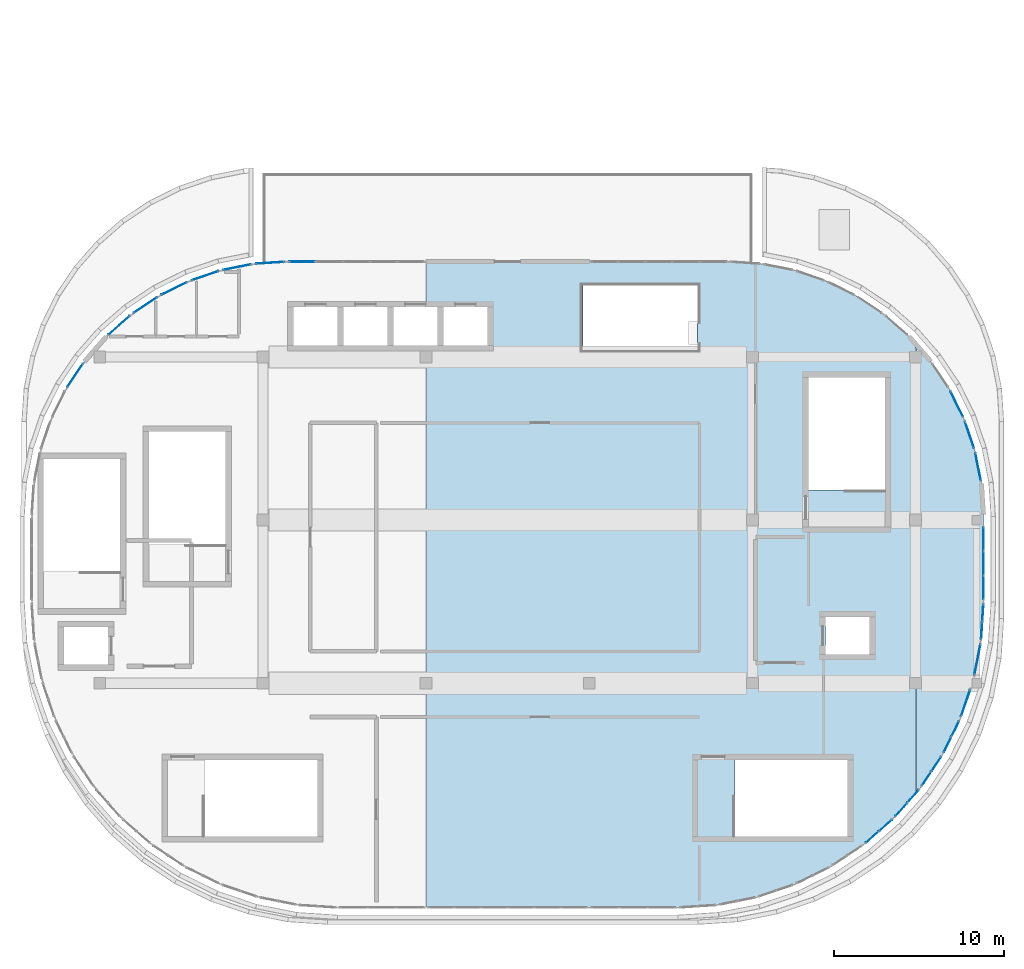
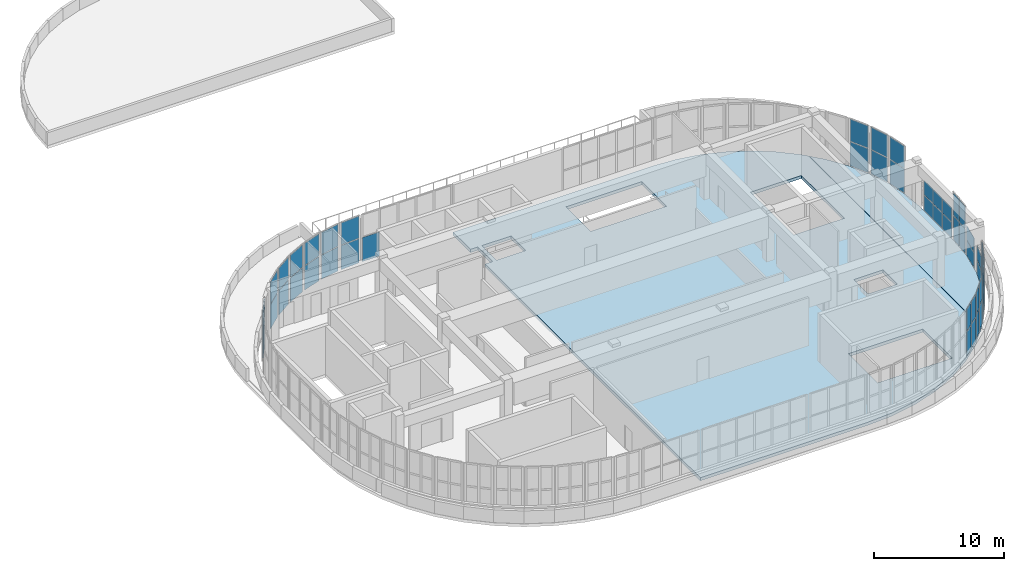
# One storey, part 15 of 23: 51 plates, 2 slabs, 19 elements without a shape of their own.
"""IFC4 building model written with IfcOpenShell, lengths in metres."""

import ifcopenshell
import ifcopenshell.guid

model = None  # the IFC model being written
_history = None  # IfcOwnerHistory: only IFC2X3 demands one
_inside = {}  # id of a spatial element -> (the spatial element, [elements in it])
_under = {}  # id of a project, library or spatial element -> (it, [spatial elements below it])
_declared = {}  # id of a project -> (the project, [libraries it declares])
_typed = {}  # id of a type object -> (the type object, [elements of that type])
_made_of = {}  # id of a material, layer set ... -> (it, [elements and type objects made of it])


def new_model(schema):
    """Start an empty IFC model of exactly this schema.

    Asked for "IFC4X3", IfcOpenShell would pick the latest addendum, in which some entities
    have other attributes; the version numbers below select the first issue.
    IFC2X3 requires an IfcOwnerHistory on every rooted entity: one is made here for all.
    """
    global model, _history
    if schema == "IFC4X3":
        model = ifcopenshell.file(schema_version=(4, 3, 0, 0))
    else:
        model = ifcopenshell.file(schema=schema)
    _inside.clear()
    _under.clear()
    _declared.clear()
    _typed.clear()
    _made_of.clear()
    _history = None
    if model.schema == "IFC2X3":
        org = make("IfcOrganization", Name="unknown")
        user = make(
            "IfcPersonAndOrganization",
            ThePerson=make("IfcPerson", FamilyName="unknown"),
            TheOrganization=org,
        )
        app = make(
            "IfcApplication",
            ApplicationDeveloper=org,
            Version="unknown",
            ApplicationFullName="unknown",
            ApplicationIdentifier="unknown",
        )
        _history = make(
            "IfcOwnerHistory",
            OwningUser=user,
            OwningApplication=app,
            ChangeAction="ADDED",
            CreationDate=0,
        )
    return model


def make(cls, **values):
    """One entity of the class cls with the attributes given. An attribute that is None is left unset."""
    return model.create_entity(
        cls, **{name: value for name, value in values.items() if value is not None}
    )


def rooted(cls, **values):
    """An entity with a GlobalId (a new one), such as an element, a storey or a relation."""
    return make(cls, GlobalId=ifcopenshell.guid.new(), OwnerHistory=_history, **values)


def si_unit(unit_type, name, prefix=None):
    """IfcSIUnit, for example si_unit("LENGTHUNIT", "METRE", prefix="MILLI")."""
    return make("IfcSIUnit", UnitType=unit_type, Prefix=prefix, Name=name)


def assignment(units):
    """IfcUnitAssignment: the units of a project."""
    return None if units is None else make("IfcUnitAssignment", Units=units)


def point(xyz):
    """IfcCartesianPoint."""
    return None if xyz is None else make("IfcCartesianPoint", Coordinates=xyz)


def direction(xyz):
    """IfcDirection."""
    return None if xyz is None else make("IfcDirection", DirectionRatios=xyz)


def frame(location, z_axis=None, x_axis=None):
    """IfcAxis2Placement3D, a coordinate frame: its origin and axes. An axis left out is left unset."""
    return make(
        "IfcAxis2Placement3D",
        Location=point(location),
        Axis=direction(z_axis),
        RefDirection=direction(x_axis),
    )


def frame_2d(location, x_axis=None):
    """IfcAxis2Placement2D, a coordinate frame in the plane: its origin and x axis."""
    return make(
        "IfcAxis2Placement2D", Location=point(location), RefDirection=direction(x_axis)
    )


def origin():
    """The frame at (0, 0, 0) with its axes left unset."""
    return frame((0.0, 0.0, 0.0))


def origin_2d():
    """The frame at (0, 0) in the plane with its x axis left unset."""
    return frame_2d((0.0, 0.0))


def place(relative_to, where):
    """IfcLocalPlacement: puts the frame where relative to a parent placement (None: the world)."""
    return make(
        "IfcLocalPlacement", PlacementRelTo=relative_to, RelativePlacement=where
    )


def context(
    kind, dimensions, precision=None, world=None, true_north=None, identifier=None
):
    """IfcGeometricRepresentationContext, for example the 3D "Model" context."""
    return make(
        "IfcGeometricRepresentationContext",
        ContextIdentifier=identifier,
        ContextType=kind,
        CoordinateSpaceDimension=dimensions,
        Precision=precision,
        WorldCoordinateSystem=world,
        TrueNorth=true_north,
    )


def subcontext(parent, identifier, kind, view, scale=None):
    """IfcGeometricRepresentationSubContext, for example "Body" below "Model"."""
    return make(
        "IfcGeometricRepresentationSubContext",
        ContextIdentifier=identifier,
        ContextType=kind,
        ParentContext=parent,
        TargetScale=scale,
        TargetView=view,
    )


def project(units=None, contexts=None):
    """IfcProject with its units and contexts."""
    return rooted(
        "IfcProject",
        Name="project",
        RepresentationContexts=contexts,
        UnitsInContext=assignment(units),
    )


def spatial(cls, under=None, at=None, **own):
    """A site, building, storey or space (cls), placed at a placement, below another one or the project."""
    s = rooted(cls, ObjectPlacement=at, **own)
    if under is not None:
        _under.setdefault(under.id(), (under, []))[1].append(s)
    return s


def polyline(points):
    """IfcPolyline through the points."""
    return make("IfcPolyline", Points=[point(p) for p in points])


def profile(cls, at=None, kind="AREA", **sizes):
    """A parametric profile (cls). Its sizes go by their IFC names, for example OverallWidth=200.0."""
    return make(cls, ProfileType=kind, Position=at, **sizes)


def rectangle(**sizes):
    """IfcRectangleProfileDef."""
    return profile("IfcRectangleProfileDef", **sizes)


def outline(outer, holes=None, kind="AREA"):
    """IfcArbitraryClosedProfileDef: a profile drawn as a closed curve; with holes, ...WithVoids."""
    if holes is None:
        return make("IfcArbitraryClosedProfileDef", ProfileType=kind, OuterCurve=outer)
    return make(
        "IfcArbitraryProfileDefWithVoids",
        ProfileType=kind,
        OuterCurve=outer,
        InnerCurves=holes,
    )


def extrude(swept, where, along, depth):
    """IfcExtrudedAreaSolid: the profile swept, set in the frame where, extruded along a direction by depth."""
    return make(
        "IfcExtrudedAreaSolid",
        SweptArea=swept,
        Position=where,
        ExtrudedDirection=direction(along),
        Depth=depth,
    )


def shape(context_of_items, identifier, shape_type, items):
    """IfcShapeRepresentation: the items that make up one representation, for example the "Body"."""
    return make(
        "IfcShapeRepresentation",
        ContextOfItems=context_of_items,
        RepresentationIdentifier=identifier,
        RepresentationType=shape_type,
        Items=items,
    )


def material(Name=None, Category=None):
    """IfcMaterial."""
    return make("IfcMaterial", Name=Name, Category=Category)


def layer(
    of_material, thickness, ventilated=None, Name=None, Category=None, Priority=None
):
    """IfcMaterialLayer: one layer of a wall or slab, of a material (None: an air gap)."""
    return make(
        "IfcMaterialLayer",
        Material=of_material,
        LayerThickness=thickness,
        IsVentilated=ventilated,
        Name=Name,
        Category=Category,
        Priority=Priority,
    )


def layer_set(layers, Name=None):
    """IfcMaterialLayerSet."""
    return make("IfcMaterialLayerSet", MaterialLayers=layers, LayerSetName=Name)


def made_of(thing, what):
    """Note that an element or type object is made of a material, layer set ...; save() writes the relation."""
    if what is not None:
        _made_of.setdefault(what.id(), (what, []))[1].append(thing)
    return thing


def type_object(cls, material=None, **own):
    """A type object (cls), such as IfcWallType, which elements share."""
    return made_of(rooted(cls, **own), material)


def element(
    cls,
    number,
    at=None,
    inside=None,
    cuts=None,
    type_object=None,
    material=None,
    context=None,
    identifier="Body",
    shape_type=None,
    held_by="IfcProductDefinitionShape",
    body=None,
    shapes=None,
    **own,
):
    """One element of the class cls, such as IfcWall. Its Tag is "e" and its number.

    at: its placement. inside: the storey or other place that contains it. cuts: it is an
    opening in that element (IfcRelVoidsElement). A single representation is given by context,
    identifier, shape_type and body (its items); several are given by shapes. held_by: the class
    of the entity that holds the representations. save() writes the other relations.
    """
    e = rooted(cls, Tag="e%d" % number, ObjectPlacement=at, **own)
    if body is not None:
        shapes = [shape(context, identifier, shape_type, body)]
    if shapes is not None:
        e.Representation = make(held_by, Representations=shapes)
    if inside is not None:
        _inside.setdefault(inside.id(), (inside, []))[1].append(e)
    if cuts is not None:
        rooted(
            "IfcRelVoidsElement", RelatingBuildingElement=cuts, RelatedOpeningElement=e
        )
    if type_object is not None:
        _typed.setdefault(type_object.id(), (type_object, []))[1].append(e)
    return made_of(e, material)


def aggregate(whole, parts):
    """IfcRelAggregates: a whole, such as a stair, and the parts it consists of."""
    return rooted("IfcRelAggregates", RelatingObject=whole, RelatedObjects=parts)


def save(model, path):
    """Write the relations noted so far, then the file.

    IfcRelAggregates (storeys below a building ...), IfcRelContainedInSpatialStructure (elements
    in a storey), IfcRelDefinesByType, IfcRelAssociatesMaterial and IfcRelDeclares: one each for
    every whole, place, type object, material and project.
    """
    for whole, parts in _under.values():
        aggregate(whole, parts)
    for where, things in _inside.values():
        rooted(
            "IfcRelContainedInSpatialStructure",
            RelatedElements=things,
            RelatingStructure=where,
        )
    for kind, things in _typed.values():
        rooted("IfcRelDefinesByType", RelatedObjects=things, RelatingType=kind)
    for what, things in _made_of.values():
        rooted("IfcRelAssociatesMaterial", RelatedObjects=things, RelatingMaterial=what)
    for by, libraries in _declared.values():
        rooted("IfcRelDeclares", RelatingContext=by, RelatedDefinitions=libraries)
    model.write(path)


model = new_model("IFC4")

# Units and contexts
model_context = context("Model", 3, precision=1e-05, world=origin(), true_north=direction((0.0, 1.0)))
body_context = subcontext(model_context, "Body", "Model", "MODEL_VIEW")
ifc_project = project(units=[si_unit("LENGTHUNIT", "METRE"), si_unit("AREAUNIT", "SQUARE_METRE"), si_unit("VOLUMEUNIT", "CUBIC_METRE"), si_unit("PLANEANGLEUNIT", "RADIAN"), si_unit("MASSUNIT", "GRAM", prefix="KILO")], contexts=[model_context])

# Site, building, storey
site_placement = place(None, origin())
site = spatial("IfcSite", under=ifc_project, at=site_placement, CompositionType="ELEMENT")
building_placement = place(site_placement, origin())
building = spatial("IfcBuilding", under=site, at=building_placement, Name="Cendralis Terraced Arcade", CompositionType="ELEMENT")
storey_placement = place(building_placement, frame((0.0, 0.0, 29.39990234375)))
storey = spatial("IfcBuildingStorey", under=building, at=storey_placement, Name="L06", CompositionType="ELEMENT", Elevation=29.39990234375)

# Curtain wall, plates
ifc_material_1 = material(Name="Anodised aluminium EN AW-6063 T6", Category="aluminium")
ifc_layer_1 = layer(ifc_material_1, 0.179931640625, Name="CW-UNIT-A")
ifc_layer_set_1 = layer_set([ifc_layer_1], Name="Anodised aluminium EN AW-6063 T6")
curtain_wall_type_1 = type_object("IfcCurtainWallType", Name="CW-UNIT-A", PredefinedType="USERDEFINED", material=ifc_layer_set_1)
curtain_wall_1_placement = place(storey_placement, origin())
curtain_wall_1 = element("IfcCurtainWall", 1, at=curtain_wall_1_placement, inside=storey, type_object=curtain_wall_type_1, Name="Exterior Unitised Facade CW-L06-0450", ObjectType="UNITISED FACADE", PredefinedType="USERDEFINED")
ifc_material_2 = material(Name="Tempered solar control laminated glass", Category="glass")
ifc_layer_2 = layer(ifc_material_2, 0.035888671875, Name="CW-UNIT-A-PNL")
ifc_layer_set_2 = layer_set([ifc_layer_2], Name="Tempered solar control laminated glass")
plate_type_1 = type_object("IfcPlateType", Name="CW-UNIT-A-PNL", PredefinedType="CURTAIN_PANEL", material=ifc_layer_set_2)
plate_1_placement = place(storey_placement, frame((8.154541015625, 37.315673828125, 0.06494140625), z_axis=(0.0, 0.0, 1.0), x_axis=(0.555567476528, 0.831471454125, 0.0)))
plate_1 = element("IfcPlate", 2, at=plate_1_placement, type_object=plate_type_1, Name="CW-U1 panel 1.1", PredefinedType="CURTAIN_PANEL", context=body_context, shape_type="SweptSolid", body=[
    extrude(rectangle(XDim=1.652099609375, YDim=0.035888671875, at=origin_2d()), origin(), (0.0, 0.0, 1.0), 2.255615234375),
])
plate_2_placement = place(storey_placement, frame((8.154541015625, 37.315673828125, 2.3857421875), z_axis=(0.0, 0.0, 1.0), x_axis=(0.555567476528, 0.831471454125, 0.0)))
plate_2 = element("IfcPlate", 3, at=plate_2_placement, type_object=plate_type_1, Name="CW-U1 panel 1.2", PredefinedType="CURTAIN_PANEL", context=body_context, shape_type="SweptSolid", body=[
    extrude(rectangle(XDim=1.652099609375, YDim=0.035888671875, at=origin_2d()), origin(), (0.0, 0.0, 1.0), 2.074462890625),
])
aggregate(curtain_wall_1, [plate_1, plate_2])

curtain_wall_2_placement = place(storey_placement, origin())
curtain_wall_2 = element("IfcCurtainWall", 4, at=curtain_wall_2_placement, inside=storey, type_object=curtain_wall_type_1, Name="Exterior Unitised Facade CW-L06-0451", ObjectType="UNITISED FACADE", PredefinedType="USERDEFINED")
plate_3_placement = place(storey_placement, frame((10.73095703125, 40.25341796875, 0.06494140625), z_axis=(0.0, 0.0, 1.0), x_axis=(0.751804497477, 0.659386076266, 0.0)))
plate_3 = element("IfcPlate", 5, at=plate_3_placement, type_object=plate_type_1, Name="CW-U1 panel 1.1", PredefinedType="CURTAIN_PANEL", context=body_context, shape_type="SweptSolid", body=[
    extrude(rectangle(XDim=1.652099609375, YDim=0.035888671875, at=origin_2d()), origin(), (0.0, 0.0, 1.0), 2.255615234375),
])
plate_4_placement = place(storey_placement, frame((10.73095703125, 40.25341796875, 2.3857421875), z_axis=(0.0, 0.0, 1.0), x_axis=(0.751804497477, 0.659386076266, 0.0)))
plate_4 = element("IfcPlate", 6, at=plate_4_placement, type_object=plate_type_1, Name="CW-U1 panel 1.2", PredefinedType="CURTAIN_PANEL", context=body_context, shape_type="SweptSolid", body=[
    extrude(rectangle(XDim=1.652099609375, YDim=0.035888671875, at=origin_2d()), origin(), (0.0, 0.0, 1.0), 2.074462890625),
])
aggregate(curtain_wall_2, [plate_3, plate_4])

curtain_wall_3_placement = place(storey_placement, origin())
curtain_wall_3 = element("IfcCurtainWall", 7, at=curtain_wall_3_placement, inside=storey, type_object=curtain_wall_type_1, Name="Exterior Unitised Facade CW-L06-0452", ObjectType="UNITISED FACADE", PredefinedType="USERDEFINED")
plate_5_placement = place(storey_placement, frame((12.2841796875, 41.4453125, 0.06494140625), z_axis=(0.0, 0.0, 1.0), x_axis=(0.831471454125, 0.555567476528, 0.0)))
plate_5 = element("IfcPlate", 8, at=plate_5_placement, type_object=plate_type_1, Name="CW-U1 panel 1.1", PredefinedType="CURTAIN_PANEL", context=body_context, shape_type="SweptSolid", body=[
    extrude(rectangle(XDim=1.652099609375, YDim=0.035888671875, at=origin_2d()), origin(), (0.0, 0.0, 1.0), 2.255615234375),
])
plate_6_placement = place(storey_placement, frame((12.2841796875, 41.4453125, 2.3857421875), z_axis=(0.0, 0.0, 1.0), x_axis=(0.831471454125, 0.555567476528, 0.0)))
plate_6 = element("IfcPlate", 9, at=plate_6_placement, type_object=plate_type_1, Name="CW-U1 panel 1.2", PredefinedType="CURTAIN_PANEL", context=body_context, shape_type="SweptSolid", body=[
    extrude(rectangle(XDim=1.652099609375, YDim=0.035888671875, at=origin_2d()), origin(), (0.0, 0.0, 1.0), 2.074462890625),
])
aggregate(curtain_wall_3, [plate_5, plate_6])

curtain_wall_4_placement = place(storey_placement, origin())
curtain_wall_4 = element("IfcCurtainWall", 10, at=curtain_wall_4_placement, inside=storey, type_object=curtain_wall_type_1, Name="Exterior Unitised Facade CW-L06-0453", ObjectType="UNITISED FACADE", PredefinedType="USERDEFINED")
plate_7_placement = place(storey_placement, frame((13.979736328125, 42.42431640625, 0.06494140625), z_axis=(0.0, 0.0, 1.0), x_axis=(0.896871480419, 0.442291247495, 0.0)))
plate_7 = element("IfcPlate", 11, at=plate_7_placement, type_object=plate_type_1, Name="CW-U1 panel 1.1", PredefinedType="CURTAIN_PANEL", context=body_context, shape_type="SweptSolid", body=[
    extrude(rectangle(XDim=1.652099609375, YDim=0.035888671875, at=origin_2d()), origin(), (0.0, 0.0, 1.0), 2.255615234375),
])
plate_8_placement = place(storey_placement, frame((13.979736328125, 42.42431640625, 2.3857421875), z_axis=(0.0, 0.0, 1.0), x_axis=(0.896871480419, 0.442291247495, 0.0)))
plate_8 = element("IfcPlate", 12, at=plate_8_placement, type_object=plate_type_1, Name="CW-U1 panel 1.2", PredefinedType="CURTAIN_PANEL", context=body_context, shape_type="SweptSolid", body=[
    extrude(rectangle(XDim=1.652099609375, YDim=0.035888671875, at=origin_2d()), origin(), (0.0, 0.0, 1.0), 2.074462890625),
])
aggregate(curtain_wall_4, [plate_7, plate_8])

curtain_wall_5_placement = place(storey_placement, origin())
curtain_wall_5 = element("IfcCurtainWall", 13, at=curtain_wall_5_placement, inside=storey, type_object=curtain_wall_type_1, Name="Exterior Unitised Facade CW-L06-0454", ObjectType="UNITISED FACADE", PredefinedType="USERDEFINED")
plate_9_placement = place(storey_placement, frame((15.788818359375, 43.173583984375, 0.06494140625), z_axis=(0.0, 0.0, 1.0), x_axis=(0.946923811316, 0.321458077458, 0.0)))
plate_9 = element("IfcPlate", 14, at=plate_9_placement, type_object=plate_type_1, Name="CW-U1 panel 1.1", PredefinedType="CURTAIN_PANEL", context=body_context, shape_type="SweptSolid", body=[
    extrude(rectangle(XDim=1.652099609375, YDim=0.035888671875, at=origin_2d()), origin(), (0.0, 0.0, 1.0), 2.255615234375),
])
plate_10_placement = place(storey_placement, frame((15.788818359375, 43.173583984375, 2.3857421875), z_axis=(0.0, 0.0, 1.0), x_axis=(0.946923811316, 0.321458077458, 0.0)))
plate_10 = element("IfcPlate", 15, at=plate_10_placement, type_object=plate_type_1, Name="CW-U1 panel 1.2", PredefinedType="CURTAIN_PANEL", context=body_context, shape_type="SweptSolid", body=[
    extrude(rectangle(XDim=1.652099609375, YDim=0.035888671875, at=origin_2d()), origin(), (0.0, 0.0, 1.0), 2.074462890625),
])
aggregate(curtain_wall_5, [plate_9, plate_10])

curtain_wall_6_placement = place(storey_placement, origin())
curtain_wall_6 = element("IfcCurtainWall", 16, at=curtain_wall_6_placement, inside=storey, type_object=curtain_wall_type_1, Name="Exterior Unitised Facade CW-L06-0455", ObjectType="UNITISED FACADE", PredefinedType="USERDEFINED")
plate_11_placement = place(storey_placement, frame((17.679931640625, 43.680419921875, 0.06494140625), z_axis=(0.0, 0.0, 1.0), x_axis=(0.980791618721, 0.195058454434, 0.0)))
plate_11 = element("IfcPlate", 17, at=plate_11_placement, type_object=plate_type_1, Name="CW-U1 panel 1.1", PredefinedType="CURTAIN_PANEL", context=body_context, shape_type="SweptSolid", body=[
    extrude(rectangle(XDim=1.652099609375, YDim=0.035888671875, at=origin_2d()), origin(), (0.0, 0.0, 1.0), 2.255615234375),
])
plate_12_placement = place(storey_placement, frame((17.679931640625, 43.680419921875, 2.3857421875), z_axis=(0.0, 0.0, 1.0), x_axis=(0.980791618721, 0.195058454434, 0.0)))
plate_12 = element("IfcPlate", 18, at=plate_12_placement, type_object=plate_type_1, Name="CW-U1 panel 1.2", PredefinedType="CURTAIN_PANEL", context=body_context, shape_type="SweptSolid", body=[
    extrude(rectangle(XDim=1.652099609375, YDim=0.035888671875, at=origin_2d()), origin(), (0.0, 0.0, 1.0), 2.074462890625),
])
aggregate(curtain_wall_6, [plate_11, plate_12])

curtain_wall_7_placement = place(storey_placement, origin())
curtain_wall_7 = element("IfcCurtainWall", 19, at=curtain_wall_7_placement, inside=storey, type_object=curtain_wall_type_1, Name="Exterior Unitised Facade CW-L06-0456", ObjectType="UNITISED FACADE", PredefinedType="USERDEFINED")
plate_13_placement = place(storey_placement, frame((19.62109375, 43.935791015625, 0.06494140625), z_axis=(0.0, 0.0, 1.0), x_axis=(0.997860971336, 0.065371873798, 0.0)))
plate_13 = element("IfcPlate", 20, at=plate_13_placement, type_object=plate_type_1, Name="CW-U1 panel 1.1", PredefinedType="CURTAIN_PANEL", context=body_context, shape_type="SweptSolid", body=[
    extrude(rectangle(XDim=1.652099609375, YDim=0.035888671875, at=origin_2d()), origin(), (0.0, 0.0, 1.0), 2.255615234375),
])
plate_14_placement = place(storey_placement, frame((19.62109375, 43.935791015625, 2.3857421875), z_axis=(0.0, 0.0, 1.0), x_axis=(0.997860971336, 0.065371873798, 0.0)))
plate_14 = element("IfcPlate", 21, at=plate_14_placement, type_object=plate_type_1, Name="CW-U1 panel 1.2", PredefinedType="CURTAIN_PANEL", context=body_context, shape_type="SweptSolid", body=[
    extrude(rectangle(XDim=1.652099609375, YDim=0.035888671875, at=origin_2d()), origin(), (0.0, 0.0, 1.0), 2.074462890625),
])
aggregate(curtain_wall_7, [plate_13, plate_14])

curtain_wall_8_placement = place(storey_placement, origin())
curtain_wall_8 = element("IfcCurtainWall", 22, at=curtain_wall_8_placement, inside=storey, type_object=curtain_wall_type_1, Name="Exterior Unitised Facade CW-L06-0466", ObjectType="UNITISED FACADE", PredefinedType="USERDEFINED")
plate_15_placement = place(storey_placement, frame((60.0244140625, 35.6201171875, 0.06494140625), z_axis=(0.0, 0.0, 1.0), x_axis=(0.442291247495, -0.896871480419, 0.0)))
plate_15 = element("IfcPlate", 23, at=plate_15_placement, type_object=plate_type_1, Name="CW-U1 panel 1.1", PredefinedType="CURTAIN_PANEL", context=body_context, shape_type="SweptSolid", body=[
    extrude(rectangle(XDim=1.652099609375, YDim=0.035888671875, at=origin_2d()), origin(), (0.0, 0.0, 1.0), 2.255615234375),
])
plate_16_placement = place(storey_placement, frame((60.0244140625, 35.6201171875, 2.3857421875), z_axis=(0.0, 0.0, 1.0), x_axis=(0.442291247495, -0.896871480419, 0.0)))
plate_16 = element("IfcPlate", 24, at=plate_16_placement, type_object=plate_type_1, Name="CW-U1 panel 1.2", PredefinedType="CURTAIN_PANEL", context=body_context, shape_type="SweptSolid", body=[
    extrude(rectangle(XDim=1.652099609375, YDim=0.035888671875, at=origin_2d()), origin(), (0.0, 0.0, 1.0), 2.074462890625),
])
aggregate(curtain_wall_8, [plate_15, plate_16])

curtain_wall_9_placement = place(storey_placement, origin())
curtain_wall_9 = element("IfcCurtainWall", 25, at=curtain_wall_9_placement, inside=storey, type_object=curtain_wall_type_1, Name="Exterior Unitised Facade CW-L06-0467", ObjectType="UNITISED FACADE", PredefinedType="USERDEFINED")
plate_17_placement = place(storey_placement, frame((60.7734375, 33.811279296875, 0.06494140625), z_axis=(0.0, 0.0, 1.0), x_axis=(0.321458077458, -0.946923811316, 0.0)))
plate_17 = element("IfcPlate", 26, at=plate_17_placement, type_object=plate_type_1, Name="CW-U1 panel 1.1", PredefinedType="CURTAIN_PANEL", context=body_context, shape_type="SweptSolid", body=[
    extrude(rectangle(XDim=1.652099609375, YDim=0.035888671875, at=origin_2d()), origin(), (0.0, 0.0, 1.0), 2.255615234375),
])
plate_18_placement = place(storey_placement, frame((60.7734375, 33.811279296875, 2.3857421875), z_axis=(0.0, 0.0, 1.0), x_axis=(0.321458077458, -0.946923811316, 0.0)))
plate_18 = element("IfcPlate", 27, at=plate_18_placement, type_object=plate_type_1, Name="CW-U1 panel 1.2", PredefinedType="CURTAIN_PANEL", context=body_context, shape_type="SweptSolid", body=[
    extrude(rectangle(XDim=1.652099609375, YDim=0.035888671875, at=origin_2d()), origin(), (0.0, 0.0, 1.0), 2.074462890625),
])
aggregate(curtain_wall_9, [plate_17, plate_18])

curtain_wall_10_placement = place(storey_placement, origin())
curtain_wall_10 = element("IfcCurtainWall", 28, at=curtain_wall_10_placement, inside=storey, type_object=curtain_wall_type_1, Name="Exterior Unitised Facade CW-L06-0468", ObjectType="UNITISED FACADE", PredefinedType="USERDEFINED")
plate_19_placement = place(storey_placement, frame((61.2802734375, 31.920166015625, 0.06494140625), z_axis=(0.0, 0.0, 1.0), x_axis=(0.195058454434, -0.980791618721, 0.0)))
plate_19 = element("IfcPlate", 29, at=plate_19_placement, type_object=plate_type_1, Name="CW-U1 panel 1.1", PredefinedType="CURTAIN_PANEL", context=body_context, shape_type="SweptSolid", body=[
    extrude(rectangle(XDim=1.652099609375, YDim=0.035888671875, at=origin_2d()), origin(), (0.0, 0.0, 1.0), 2.255615234375),
])
plate_20_placement = place(storey_placement, frame((61.2802734375, 31.920166015625, 2.3857421875), z_axis=(0.0, 0.0, 1.0), x_axis=(0.195058454434, -0.980791618721, 0.0)))
plate_20 = element("IfcPlate", 30, at=plate_20_placement, type_object=plate_type_1, Name="CW-U1 panel 1.2", PredefinedType="CURTAIN_PANEL", context=body_context, shape_type="SweptSolid", body=[
    extrude(rectangle(XDim=1.652099609375, YDim=0.035888671875, at=origin_2d()), origin(), (0.0, 0.0, 1.0), 2.074462890625),
])
aggregate(curtain_wall_10, [plate_19, plate_20])

curtain_wall_11_placement = place(storey_placement, origin())
curtain_wall_11 = element("IfcCurtainWall", 31, at=curtain_wall_11_placement, inside=storey, type_object=curtain_wall_type_1, Name="Exterior Unitised Facade CW-L06-0470", ObjectType="UNITISED FACADE", PredefinedType="USERDEFINED")
plate_21_placement = place(storey_placement, frame((61.557373046875, 23.3515625, 0.06494140625), z_axis=(0.0, 0.0, 1.0), x_axis=(-0.065392707503, -0.99785960626, 0.0)))
plate_21 = element("IfcPlate", 32, at=plate_21_placement, type_object=plate_type_1, Name="CW-U1 panel 1.1", PredefinedType="CURTAIN_PANEL", context=body_context, shape_type="SweptSolid", body=[
    extrude(rectangle(XDim=0.98974609375, YDim=0.035888671875, at=origin_2d()), origin(), (0.0, 0.0, 1.0), 2.255615234375),
])
plate_22_placement = place(storey_placement, frame((61.557373046875, 23.3515625, 2.3857421875), z_axis=(0.0, 0.0, 1.0), x_axis=(-0.065392707503, -0.99785960626, 0.0)))
plate_22 = element("IfcPlate", 33, at=plate_22_placement, type_object=plate_type_1, Name="CW-U1 panel 1.2", PredefinedType="CURTAIN_PANEL", context=body_context, shape_type="SweptSolid", body=[
    extrude(rectangle(XDim=0.98974609375, YDim=0.035888671875, at=origin_2d()), origin(), (0.0, 0.0, 1.0), 2.074462890625),
])
plate_23_placement = place(storey_placement, frame((61.488525390625, 22.299072265625, 0.06494140625), z_axis=(0.0, 0.0, 1.0), x_axis=(-0.065392707503, -0.99785960626, 0.0)))
plate_23 = element("IfcPlate", 34, at=plate_23_placement, type_object=plate_type_1, Name="CW-U1 panel 2.1", PredefinedType="CURTAIN_PANEL", context=body_context, shape_type="SweptSolid", body=[
    extrude(rectangle(XDim=0.98974609375, YDim=0.035888671875, at=origin_2d()), origin(), (0.0, 0.0, 1.0), 2.255615234375),
])
plate_24_placement = place(storey_placement, frame((61.488525390625, 22.299072265625, 2.3857421875), z_axis=(0.0, 0.0, 1.0), x_axis=(-0.065392707503, -0.99785960626, 0.0)))
plate_24 = element("IfcPlate", 35, at=plate_24_placement, type_object=plate_type_1, Name="CW-U1 panel 2.2", PredefinedType="CURTAIN_PANEL", context=body_context, shape_type="SweptSolid", body=[
    extrude(rectangle(XDim=0.98974609375, YDim=0.035888671875, at=origin_2d()), origin(), (0.0, 0.0, 1.0), 2.074462890625),
])
aggregate(curtain_wall_11, [plate_21, plate_22, plate_23, plate_24])

curtain_wall_12_placement = place(storey_placement, origin())
curtain_wall_12 = element("IfcCurtainWall", 36, at=curtain_wall_12_placement, inside=storey, type_object=curtain_wall_type_1, Name="Exterior Unitised Facade CW-L06-0471", ObjectType="UNITISED FACADE", PredefinedType="USERDEFINED")
plate_25_placement = place(storey_placement, frame((61.238525390625, 20.60693359375, 0.06494140625), z_axis=(0.0, 0.0, 1.0), x_axis=(-0.195020216019, -0.980799222749, 0.0)))
plate_25 = element("IfcPlate", 37, at=plate_25_placement, type_object=plate_type_1, Name="CW-U1 panel 1.1", PredefinedType="CURTAIN_PANEL", context=body_context, shape_type="SweptSolid", body=[
    extrude(rectangle(XDim=1.818115234375, YDim=0.035888671875, at=origin_2d()), origin(), (0.0, 0.0, 1.0), 1.418212890625),
])
plate_26_placement = place(storey_placement, frame((61.238525390625, 20.60693359375, 1.54833984375), z_axis=(0.0, 0.0, 1.0), x_axis=(-0.195020216019, -0.980799222749, 0.0)))
plate_26 = element("IfcPlate", 38, at=plate_26_placement, type_object=plate_type_1, Name="CW-U1 panel 1.2", PredefinedType="CURTAIN_PANEL", context=body_context, shape_type="SweptSolid", body=[
    extrude(rectangle(XDim=1.818115234375, YDim=0.035888671875, at=origin_2d()), origin(), (0.0, 0.0, 1.0), 1.3017578125),
])
aggregate(curtain_wall_12, [plate_25, plate_26])

curtain_wall_13_placement = place(storey_placement, origin())
curtain_wall_13 = element("IfcCurtainWall", 39, at=curtain_wall_13_placement, inside=storey, type_object=curtain_wall_type_1, Name="Exterior Unitised Facade CW-L06-0472", ObjectType="UNITISED FACADE", PredefinedType="USERDEFINED")
plate_27_placement = place(storey_placement, frame((60.541748046875, 18.030517578125, 0.06494140625), z_axis=(0.0, 0.0, 1.0), x_axis=(-0.321488259615, -0.946913564656, 0.0)))
plate_27 = element("IfcPlate", 40, at=plate_27_placement, type_object=plate_type_1, Name="CW-U1 panel 1.1", PredefinedType="CURTAIN_PANEL", context=body_context, shape_type="SweptSolid", body=[
    extrude(rectangle(XDim=1.630615234375, YDim=0.035888671875, at=origin_2d()), origin(), (0.0, 0.0, 1.0), 1.418212890625),
])
plate_28_placement = place(storey_placement, frame((60.541748046875, 18.030517578125, 1.54833984375), z_axis=(0.0, 0.0, 1.0), x_axis=(-0.321488259615, -0.946913564656, 0.0)))
plate_28 = element("IfcPlate", 41, at=plate_28_placement, type_object=plate_type_1, Name="CW-U1 panel 1.2", PredefinedType="CURTAIN_PANEL", context=body_context, shape_type="SweptSolid", body=[
    extrude(rectangle(XDim=1.630615234375, YDim=0.035888671875, at=origin_2d()), origin(), (0.0, 0.0, 1.0), 1.3017578125),
])
aggregate(curtain_wall_13, [plate_27, plate_28])

curtain_wall_14_placement = place(storey_placement, origin())
curtain_wall_14 = element("IfcCurtainWall", 42, at=curtain_wall_14_placement, inside=storey, type_object=curtain_wall_type_1, Name="Exterior Unitised Facade CW-L06-0473", ObjectType="UNITISED FACADE", PredefinedType="USERDEFINED")
plate_29_placement = place(storey_placement, frame((59.9423828125, 16.52880859375, 0.06494140625), z_axis=(0.0, 0.0, 1.0), x_axis=(-0.442258533133, -0.896887612731, 0.0)))
plate_29 = element("IfcPlate", 43, at=plate_29_placement, type_object=plate_type_1, Name="CW-U1 panel 1.1", PredefinedType="CURTAIN_PANEL", context=body_context, shape_type="SweptSolid", body=[
    extrude(rectangle(XDim=0.98974609375, YDim=0.035888671875, at=origin_2d()), origin(), (0.0, 0.0, 1.0), 2.255615234375),
])
plate_30_placement = place(storey_placement, frame((59.9423828125, 16.52880859375, 2.3857421875), z_axis=(0.0, 0.0, 1.0), x_axis=(-0.442258533133, -0.896887612731, 0.0)))
plate_30 = element("IfcPlate", 44, at=plate_30_placement, type_object=plate_type_1, Name="CW-U1 panel 1.2", PredefinedType="CURTAIN_PANEL", context=body_context, shape_type="SweptSolid", body=[
    extrude(rectangle(XDim=0.98974609375, YDim=0.035888671875, at=origin_2d()), origin(), (0.0, 0.0, 1.0), 2.074462890625),
])
plate_31_placement = place(storey_placement, frame((59.475830078125, 15.582763671875, 0.06494140625), z_axis=(0.0, 0.0, 1.0), x_axis=(-0.442258533133, -0.896887612731, 0.0)))
plate_31 = element("IfcPlate", 45, at=plate_31_placement, type_object=plate_type_1, Name="CW-U1 panel 2.1", PredefinedType="CURTAIN_PANEL", context=body_context, shape_type="SweptSolid", body=[
    extrude(rectangle(XDim=0.98974609375, YDim=0.035888671875, at=origin_2d()), origin(), (0.0, 0.0, 1.0), 2.255615234375),
])
plate_32_placement = place(storey_placement, frame((59.475830078125, 15.582763671875, 2.3857421875), z_axis=(0.0, 0.0, 1.0), x_axis=(-0.442258533133, -0.896887612731, 0.0)))
plate_32 = element("IfcPlate", 46, at=plate_32_placement, type_object=plate_type_1, Name="CW-U1 panel 2.2", PredefinedType="CURTAIN_PANEL", context=body_context, shape_type="SweptSolid", body=[
    extrude(rectangle(XDim=0.98974609375, YDim=0.035888671875, at=origin_2d()), origin(), (0.0, 0.0, 1.0), 2.074462890625),
])
aggregate(curtain_wall_14, [plate_29, plate_30, plate_31, plate_32])

curtain_wall_15_placement = place(storey_placement, origin())
curtain_wall_15 = element("IfcCurtainWall", 47, at=curtain_wall_15_placement, inside=storey, type_object=curtain_wall_type_1, Name="Exterior Unitised Facade CW-L06-0474", ObjectType="UNITISED FACADE", PredefinedType="USERDEFINED")
plate_33_placement = place(storey_placement, frame((58.827392578125, 14.459716796875, 0.06494140625), z_axis=(0.0, 0.0, 1.0), x_axis=(-0.555559488738, -0.831476791301, 0.0)))
plate_33 = element("IfcPlate", 48, at=plate_33_placement, type_object=plate_type_1, Name="CW-U1 panel 1.1", PredefinedType="CURTAIN_PANEL", context=body_context, shape_type="SweptSolid", body=[
    extrude(rectangle(XDim=0.98974609375, YDim=0.035888671875, at=origin_2d()), origin(), (0.0, 0.0, 1.0), 2.255615234375),
])
plate_34_placement = place(storey_placement, frame((58.827392578125, 14.459716796875, 2.3857421875), z_axis=(0.0, 0.0, 1.0), x_axis=(-0.555559488738, -0.831476791301, 0.0)))
plate_34 = element("IfcPlate", 49, at=plate_34_placement, type_object=plate_type_1, Name="CW-U1 panel 1.2", PredefinedType="CURTAIN_PANEL", context=body_context, shape_type="SweptSolid", body=[
    extrude(rectangle(XDim=0.98974609375, YDim=0.035888671875, at=origin_2d()), origin(), (0.0, 0.0, 1.0), 2.074462890625),
])
plate_35_placement = place(storey_placement, frame((58.241455078125, 13.58251953125, 0.06494140625), z_axis=(0.0, 0.0, 1.0), x_axis=(-0.555559488738, -0.831476791301, 0.0)))
plate_35 = element("IfcPlate", 50, at=plate_35_placement, type_object=plate_type_1, Name="CW-U1 panel 2.1", PredefinedType="CURTAIN_PANEL", context=body_context, shape_type="SweptSolid", body=[
    extrude(rectangle(XDim=0.98974609375, YDim=0.035888671875, at=origin_2d()), origin(), (0.0, 0.0, 1.0), 2.255615234375),
])
plate_36_placement = place(storey_placement, frame((58.241455078125, 13.58251953125, 2.3857421875), z_axis=(0.0, 0.0, 1.0), x_axis=(-0.555559488738, -0.831476791301, 0.0)))
plate_36 = element("IfcPlate", 51, at=plate_36_placement, type_object=plate_type_1, Name="CW-U1 panel 2.2", PredefinedType="CURTAIN_PANEL", context=body_context, shape_type="SweptSolid", body=[
    extrude(rectangle(XDim=0.98974609375, YDim=0.035888671875, at=origin_2d()), origin(), (0.0, 0.0, 1.0), 2.074462890625),
])
aggregate(curtain_wall_15, [plate_33, plate_34, plate_35, plate_36])

curtain_wall_16_placement = place(storey_placement, origin())
curtain_wall_16 = element("IfcCurtainWall", 52, at=curtain_wall_16_placement, inside=storey, type_object=curtain_wall_type_1, Name="Exterior Unitised Facade CW-L06-0475", ObjectType="UNITISED FACADE", PredefinedType="USERDEFINED")
plate_37_placement = place(storey_placement, frame((57.451904296875, 12.5537109375, 0.06494140625), z_axis=(0.0, 0.0, 1.0), x_axis=(-0.659402709672, -0.75178990847, 0.0)))
plate_37 = element("IfcPlate", 53, at=plate_37_placement, type_object=plate_type_1, Name="CW-U1 panel 1.1", PredefinedType="CURTAIN_PANEL", context=body_context, shape_type="SweptSolid", body=[
    extrude(rectangle(XDim=0.98974609375, YDim=0.035888671875, at=origin_2d()), origin(), (0.0, 0.0, 1.0), 2.255615234375),
])
plate_38_placement = place(storey_placement, frame((57.451904296875, 12.5537109375, 2.3857421875), z_axis=(0.0, 0.0, 1.0), x_axis=(-0.659402709672, -0.75178990847, 0.0)))
plate_38 = element("IfcPlate", 54, at=plate_38_placement, type_object=plate_type_1, Name="CW-U1 panel 1.2", PredefinedType="CURTAIN_PANEL", context=body_context, shape_type="SweptSolid", body=[
    extrude(rectangle(XDim=0.98974609375, YDim=0.035888671875, at=origin_2d()), origin(), (0.0, 0.0, 1.0), 2.074462890625),
])
plate_39_placement = place(storey_placement, frame((56.75634765625, 11.7607421875, 0.06494140625), z_axis=(0.0, 0.0, 1.0), x_axis=(-0.659402709672, -0.75178990847, 0.0)))
plate_39 = element("IfcPlate", 55, at=plate_39_placement, type_object=plate_type_1, Name="CW-U1 panel 2.1", PredefinedType="CURTAIN_PANEL", context=body_context, shape_type="SweptSolid", body=[
    extrude(rectangle(XDim=0.98974609375, YDim=0.035888671875, at=origin_2d()), origin(), (0.0, 0.0, 1.0), 2.255615234375),
])
plate_40_placement = place(storey_placement, frame((56.75634765625, 11.7607421875, 2.3857421875), z_axis=(0.0, 0.0, 1.0), x_axis=(-0.659402709672, -0.75178990847, 0.0)))
plate_40 = element("IfcPlate", 56, at=plate_40_placement, type_object=plate_type_1, Name="CW-U1 panel 2.2", PredefinedType="CURTAIN_PANEL", context=body_context, shape_type="SweptSolid", body=[
    extrude(rectangle(XDim=0.98974609375, YDim=0.035888671875, at=origin_2d()), origin(), (0.0, 0.0, 1.0), 2.074462890625),
])
aggregate(curtain_wall_16, [plate_37, plate_38, plate_39, plate_40])

curtain_wall_17_placement = place(storey_placement, origin())
curtain_wall_17 = element("IfcCurtainWall", 57, at=curtain_wall_17_placement, inside=storey, type_object=curtain_wall_type_1, Name="Exterior Unitised Facade CW-L06-0476", ObjectType="UNITISED FACADE", PredefinedType="USERDEFINED")
plate_41_placement = place(storey_placement, frame((55.83935546875, 10.843505859375, 0.06494140625), z_axis=(0.0, 0.0, 1.0), x_axis=(-0.75178990847, -0.659402709672, 0.0)))
plate_41 = element("IfcPlate", 58, at=plate_41_placement, type_object=plate_type_1, Name="CW-U1 panel 1.1", PredefinedType="CURTAIN_PANEL", context=body_context, shape_type="SweptSolid", body=[
    extrude(rectangle(XDim=0.98974609375, YDim=0.035888671875, at=origin_2d()), origin(), (0.0, 0.0, 1.0), 2.255615234375),
])
plate_42_placement = place(storey_placement, frame((55.83935546875, 10.843505859375, 2.3857421875), z_axis=(0.0, 0.0, 1.0), x_axis=(-0.75178990847, -0.659402709672, 0.0)))
plate_42 = element("IfcPlate", 59, at=plate_42_placement, type_object=plate_type_1, Name="CW-U1 panel 1.2", PredefinedType="CURTAIN_PANEL", context=body_context, shape_type="SweptSolid", body=[
    extrude(rectangle(XDim=0.98974609375, YDim=0.035888671875, at=origin_2d()), origin(), (0.0, 0.0, 1.0), 2.074462890625),
])
plate_43_placement = place(storey_placement, frame((55.04638671875, 10.148193359375, 0.06494140625), z_axis=(0.0, 0.0, 1.0), x_axis=(-0.75178990847, -0.659402709672, 0.0)))
plate_43 = element("IfcPlate", 60, at=plate_43_placement, type_object=plate_type_1, Name="CW-U1 panel 2.1", PredefinedType="CURTAIN_PANEL", context=body_context, shape_type="SweptSolid", body=[
    extrude(rectangle(XDim=0.98974609375, YDim=0.035888671875, at=origin_2d()), origin(), (0.0, 0.0, 1.0), 2.255615234375),
])
plate_44_placement = place(storey_placement, frame((55.04638671875, 10.148193359375, 2.3857421875), z_axis=(0.0, 0.0, 1.0), x_axis=(-0.75178990847, -0.659402709672, 0.0)))
plate_44 = element("IfcPlate", 61, at=plate_44_placement, type_object=plate_type_1, Name="CW-U1 panel 2.2", PredefinedType="CURTAIN_PANEL", context=body_context, shape_type="SweptSolid", body=[
    extrude(rectangle(XDim=0.98974609375, YDim=0.035888671875, at=origin_2d()), origin(), (0.0, 0.0, 1.0), 2.074462890625),
])
aggregate(curtain_wall_17, [plate_41, plate_42, plate_43, plate_44])

# Curtain wall, plate
ifc_layer_3 = layer(ifc_material_1, 0.159912109375, Name="CW-UNIT-B")
ifc_layer_set_3 = layer_set([ifc_layer_3], Name="Anodised aluminium EN AW-6063 T6")
curtain_wall_type_2 = type_object("IfcCurtainWallType", Name="CW-UNIT-B", PredefinedType="USERDEFINED", material=ifc_layer_set_3)
curtain_wall_18_placement = place(storey_placement, origin())
curtain_wall_18 = element("IfcCurtainWall", 62, at=curtain_wall_18_placement, inside=storey, type_object=curtain_wall_type_2, Name="Exterior Unitised Facade CW-L06-0457", ObjectType="UNITISED FACADE", PredefinedType="USERDEFINED")
ifc_layer_4 = layer(ifc_material_2, 0.031982421875, Name="CW-UNIT-B-PNL")
ifc_layer_set_4 = layer_set([ifc_layer_4], Name="Tempered solar control laminated glass")
plate_type_2 = type_object("IfcPlateType", Name="CW-UNIT-B-PNL", PredefinedType="CURTAIN_PANEL", material=ifc_layer_set_4)
plate_45_placement = place(storey_placement, frame((21.50830078125, 44.0, 0.06005859375), z_axis=(0.0, 0.0, 1.0), x_axis=(1.0, 0.0, 0.0)))
plate_45 = element("IfcPlate", 63, at=plate_45_placement, type_object=plate_type_2, Name="CW-U2 panel 1.1", PredefinedType="CURTAIN_PANEL", context=body_context, shape_type="SweptSolid", body=[
    extrude(rectangle(XDim=1.506591796875, YDim=0.031982421875, at=origin_2d()), origin(), (0.0, 0.0, 1.0), 2.262939453125),
])
aggregate(curtain_wall_18, [plate_45])

# Curtain wall, plates
curtain_wall_19_placement = place(storey_placement, origin())
curtain_wall_19 = element("IfcCurtainWall", 64, at=curtain_wall_19_placement, inside=storey, type_object=curtain_wall_type_2, Name="Exterior Unitised Facade CW-L06-0469", ObjectType="UNITISED FACADE", PredefinedType="USERDEFINED")
plate_46_placement = place(storey_placement, frame((61.60009765625, 27.694580078125, 0.06005859375), z_axis=(0.0, 0.0, 1.0), x_axis=(0.0, -1.0, 0.0)))
plate_46 = element("IfcPlate", 65, at=plate_46_placement, type_object=plate_type_2, Name="CW-U2 panel 1.1", PredefinedType="CURTAIN_PANEL", context=body_context, shape_type="SweptSolid", body=[
    extrude(rectangle(XDim=1.350830078125, YDim=0.031982421875, at=origin_2d()), origin(), (0.0, 0.0, 1.0), 1.42578125),
])
plate_47_placement = place(storey_placement, frame((61.60009765625, 27.694580078125, 1.5458984375), z_axis=(0.0, 0.0, 1.0), x_axis=(0.0, -1.0, 0.0)))
plate_47 = element("IfcPlate", 66, at=plate_47_placement, type_object=plate_type_2, Name="CW-U2 panel 1.2", PredefinedType="CURTAIN_PANEL", context=body_context, shape_type="SweptSolid", body=[
    extrude(rectangle(XDim=1.350830078125, YDim=0.031982421875, at=origin_2d()), origin(), (0.0, 0.0, 1.0), 1.30908203125),
])
plate_48_placement = place(storey_placement, frame((61.60009765625, 26.262451171875, 0.06005859375), z_axis=(0.0, 0.0, 1.0), x_axis=(0.0, -1.0, 0.0)))
plate_48 = element("IfcPlate", 67, at=plate_48_placement, type_object=plate_type_2, Name="CW-U2 panel 2.1", PredefinedType="CURTAIN_PANEL", context=body_context, shape_type="SweptSolid", body=[
    extrude(rectangle(XDim=1.38330078125, YDim=0.031982421875, at=origin_2d()), origin(), (0.0, 0.0, 1.0), 1.42578125),
])
plate_49_placement = place(storey_placement, frame((61.60009765625, 26.262451171875, 1.5458984375), z_axis=(0.0, 0.0, 1.0), x_axis=(0.0, -1.0, 0.0)))
plate_49 = element("IfcPlate", 68, at=plate_49_placement, type_object=plate_type_2, Name="CW-U2 panel 2.2", PredefinedType="CURTAIN_PANEL", context=body_context, shape_type="SweptSolid", body=[
    extrude(rectangle(XDim=1.38330078125, YDim=0.031982421875, at=origin_2d()), origin(), (0.0, 0.0, 1.0), 1.30908203125),
])
plate_50_placement = place(storey_placement, frame((61.60009765625, 24.830322265625, 0.06005859375), z_axis=(0.0, 0.0, 1.0), x_axis=(0.0, -1.0, 0.0)))
plate_50 = element("IfcPlate", 69, at=plate_50_placement, type_object=plate_type_2, Name="CW-U2 panel 3.1", PredefinedType="CURTAIN_PANEL", context=body_context, shape_type="SweptSolid", body=[
    extrude(rectangle(XDim=1.350830078125, YDim=0.031982421875, at=origin_2d()), origin(), (0.0, 0.0, 1.0), 1.42578125),
])
plate_51_placement = place(storey_placement, frame((61.60009765625, 24.830322265625, 1.5458984375), z_axis=(0.0, 0.0, 1.0), x_axis=(0.0, -1.0, 0.0)))
plate_51 = element("IfcPlate", 70, at=plate_51_placement, type_object=plate_type_2, Name="CW-U2 panel 3.2", PredefinedType="CURTAIN_PANEL", context=body_context, shape_type="SweptSolid", body=[
    extrude(rectangle(XDim=1.350830078125, YDim=0.031982421875, at=origin_2d()), origin(), (0.0, 0.0, 1.0), 1.30908203125),
])
aggregate(curtain_wall_19, [plate_46, plate_47, plate_48, plate_49, plate_50, plate_51])

# Slabs
ifc_material_3 = material(Name="Concrete f'c 35 MPa", Category="concrete")
ifc_layer_5 = layer(ifc_material_3, 0.2900390625, Name="SLB-L06-290")
ifc_layer_set_5 = layer_set([ifc_layer_5], Name="Concrete f'c 35 MPa")
slab_type = type_object("IfcSlabType", Name="SLB-L06-290", PredefinedType="FLOOR", material=ifc_layer_set_5)
slab_1_placement = place(storey_placement, frame((0.0, 0.0, -0.289794921875)))
element("IfcSlab", 71, at=slab_1_placement, inside=storey, type_object=slab_type, Name="Reinforced Concrete Floor Slab SLB-L06-V1-W2-1", PredefinedType="FLOOR", context=body_context, shape_type="SweptSolid", body=[
    extrude(outline(polyline([(50.482421875, 43.489013671875), (52.34033203125, 42.858154296875), (54.10009765625, 41.990478515625), (55.7314453125, 40.900390625), (57.20654296875, 39.606689453125), (57.60009765625, 39.157958984375), (57.60009765625, 12.72265625), (56.327880859375, 11.272216796875), (54.5576171875, 9.719482421875), (52.60009765625, 8.41162109375), (50.48828125, 7.3701171875), (48.2587890625, 6.61328125), (45.949462890625, 6.154052734375), (43.60009765625, 6.0), (28.820068359375, 6.0), (28.820068359375, 39.074951171875), (29.47998046875, 39.074951171875), (29.47998046875, 41.324951171875), (28.820068359375, 41.324951171875), (28.820068359375, 44.0), (46.60009765625, 44.0), (48.557861328125, 43.87158203125), (50.482421875, 43.489013671875)]), holes=[polyline([(46.97998046875, 10.199951171875), (53.60009765625, 10.199951171875), (53.60009765625, 14.699951171875), (46.97998046875, 14.699951171875), (46.97998046875, 10.199951171875)]), polyline([(52.300048828125, 23.10009765625), (52.300048828125, 20.89990234375), (54.89990234375, 20.89990234375), (54.89990234375, 23.10009765625), (52.300048828125, 23.10009765625)]), polyline([(51.300048828125, 37.199951171875), (51.300048828125, 30.580078125), (55.800048828125, 30.580078125), (55.800048828125, 37.199951171875), (51.300048828125, 37.199951171875)]), polyline([(29.820068359375, 41.324951171875), (29.820068359375, 39.074951171875), (32.419921875, 39.074951171875), (32.419921875, 41.324951171875), (29.820068359375, 41.324951171875)]), polyline([(38.02490234375, 42.60009765625), (38.02490234375, 38.800048828125), (44.77490234375, 38.800048828125), (44.77490234375, 42.60009765625), (38.02490234375, 42.60009765625)])]), origin(), (0.0, 0.0, 1.0), 0.289794921875),
])
slab_2_placement = place(storey_placement, frame((0.0, 0.0, -0.289794921875)))
element("IfcSlab", 72, at=slab_2_placement, inside=storey, type_object=slab_type, Name="Reinforced Concrete Floor Slab SLB-L06-V1-C1-1", PredefinedType="FLOOR", context=body_context, shape_type="SweptSolid", body=[
    extrude(outline(polyline([(60.458251953125, 34.740234375), (61.0888671875, 32.88232421875), (61.4716796875, 30.9580078125), (61.60009765625, 29.0), (61.60009765625, 24.0), (61.446044921875, 21.650390625), (60.98681640625, 19.34130859375), (60.229736328125, 17.11181640625), (59.1884765625, 15.0), (57.88037109375, 13.042236328125), (57.6201171875, 12.745361328125), (57.6201171875, 39.13525390625), (58.500244140625, 38.13134765625), (59.59033203125, 36.5), (60.458251953125, 34.740234375)])), origin(), (0.0, 0.0, 1.0), 0.289794921875),
])

save(model, "model.ifc")
